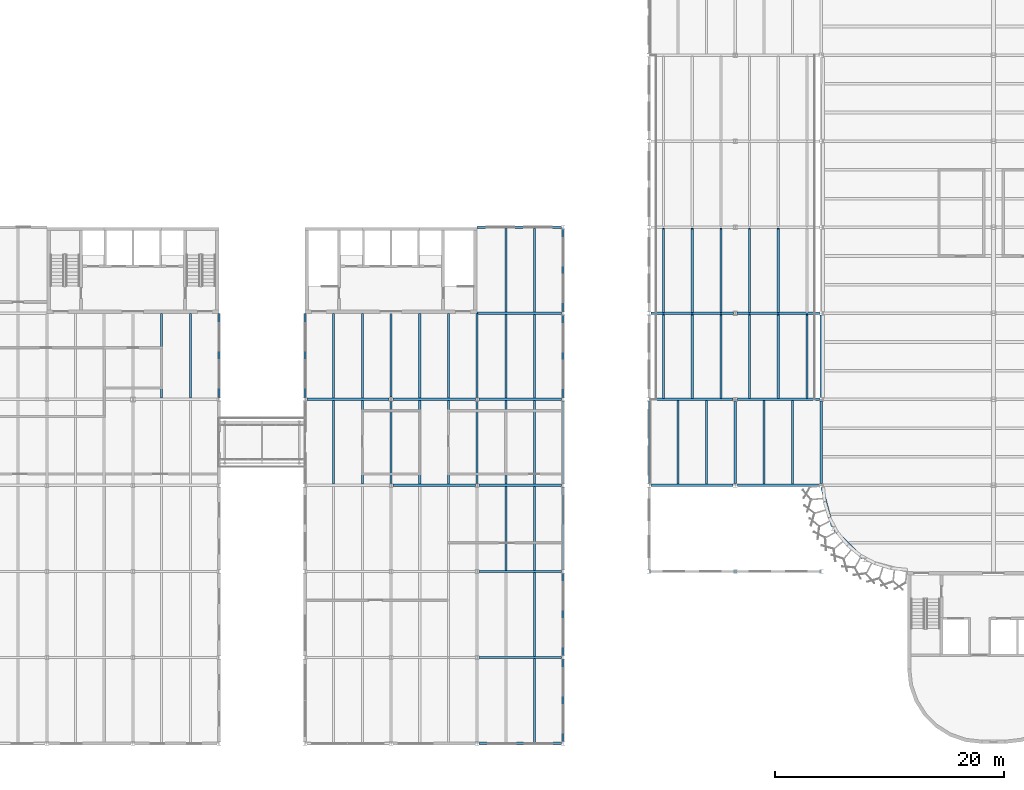
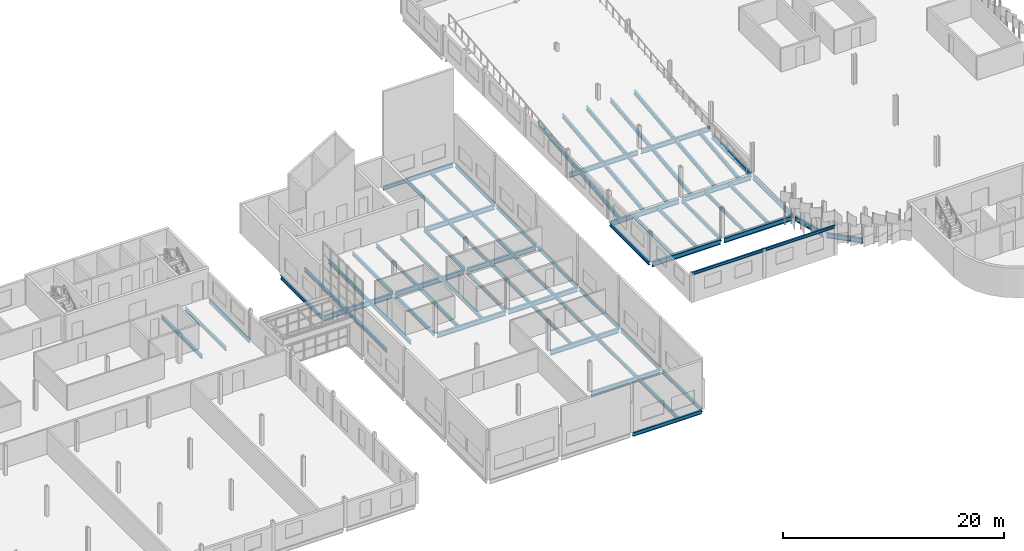
# One storey, part 35 of 198: 70 beams.
"""IFC4 building model written with IfcOpenShell, lengths in metres."""

from ifc_helpers import new_model, si_unit, direction, frame, origin, origin_2d, place, context, subcontext, project, spatial, i_section, extrude, material, material_profile, profile_set, type_object, element, save


model = new_model("IFC4")

# Units and contexts
model_context = context("Model", 3, precision=1e-05, world=origin(), true_north=direction((0.0, 1.0)))
body_context = subcontext(model_context, "Body", "Model", "MODEL_VIEW")
ifc_project = project(units=[si_unit("LENGTHUNIT", "METRE"), si_unit("AREAUNIT", "SQUARE_METRE"), si_unit("VOLUMEUNIT", "CUBIC_METRE"), si_unit("PLANEANGLEUNIT", "RADIAN"), si_unit("MASSUNIT", "GRAM", prefix="KILO")], contexts=[model_context])

# Site, building, storey
site_placement = place(None, origin())
site = spatial("IfcSite", under=ifc_project, at=site_placement, CompositionType="ELEMENT")
building_placement = place(site_placement, origin())
building = spatial("IfcBuilding", under=site, at=building_placement, Name="Parallax Yard Mobility Hub", CompositionType="ELEMENT")
storey_placement = place(building_placement, frame((0.0, 0.0, 6.60009765625)))
storey = spatial("IfcBuildingStorey", under=building, at=storey_placement, Name="L02", CompositionType="ELEMENT", Elevation=6.60009765625)

# Beams
ifc_material = material(Name="Steel ASTM A992", Category="steel")
ifc_material_profile_1 = material_profile(ifc_material, i_section(OverallWidth=0.1650390625, OverallDepth=0.31005859375, WebThickness=0.005859375, FlangeThickness=0.009765625, at=origin_2d()), Name="W310x39")
ifc_profile_set_1 = profile_set([ifc_material_profile_1], Name="Steel ASTM A992")
beam_type_1 = type_object("IfcBeamType", Name="South edge beam W310x39", PredefinedType="BEAM", material=ifc_profile_set_1)
beam_1_placement = place(storey_placement, frame((180.0, 22.5, 3.14501953125), z_axis=(1.0, 0.0, 0.0), x_axis=(0.0, 1.0, 0.0)))
element("IfcBeam", 1, at=beam_1_placement, inside=storey, type_object=beam_type_1, Name="South edge beam level L03 of the ramp house", PredefinedType="BEAM", context=body_context, shape_type="SweptSolid", body=[
    extrude(i_section(OverallWidth=0.1650390625, OverallDepth=0.31005859375, WebThickness=0.005859375, FlangeThickness=0.009765625, at=origin_2d()), origin(), (0.0, 0.0, 1.0), 15.0),
])
ifc_material_profile_2 = material_profile(ifc_material, i_section(OverallWidth=0.177978515625, OverallDepth=0.406005859375, WebThickness=0.0078125, FlangeThickness=0.0126953125, FilletRadius=0.01025390625, at=origin_2d()), Name="W410x60")
ifc_profile_set_2 = profile_set([ifc_material_profile_2], Name="Steel ASTM A992")
beam_type_2 = type_object("IfcBeamType", Name="W410x60 edge beam", PredefinedType="SPANDREL", material=ifc_profile_set_2)
beam_2_placement = place(storey_placement, frame((180.0, 30.153564453125, -0.343017578125), z_axis=(0.0, 1.0, 0.0), x_axis=(-1.0, 0.0, 0.0)))
element("IfcBeam", 2, at=beam_2_placement, inside=storey, type_object=beam_type_2, Name="Edge beam SB1 level L02, line 25 of ramp house, span 1", PredefinedType="SPANDREL", context=body_context, shape_type="SweptSolid", body=[
    extrude(i_section(OverallWidth=0.177978515625, OverallDepth=0.406005859375, WebThickness=0.0078125, FlangeThickness=0.0126953125, FilletRadius=0.01025390625, at=origin_2d()), origin(), (0.0, 0.0, 1.0), 7.19287109375),
])
ifc_material_profile_3 = material_profile(ifc_material, i_section(OverallWidth=0.177978515625, OverallDepth=0.406005859375, WebThickness=0.0078125, FlangeThickness=0.0126953125, FilletRadius=0.01025390625, at=origin_2d()), Name="W410x60")
ifc_profile_set_3 = profile_set([ifc_material_profile_3], Name="Steel ASTM A992")
beam_type_3 = type_object("IfcBeamType", Name="W410x60 longitudinal beam", PredefinedType="BEAM", material=ifc_profile_set_3)
beam_3_placement = place(storey_placement, frame((187.5, 30.18408203125, -0.343017578125), z_axis=(0.0, 1.0, 0.0), x_axis=(-1.0, 0.0, 0.0)))
element("IfcBeam", 3, at=beam_3_placement, inside=storey, type_object=beam_type_3, Name="Longitudinal beam SB2 level L02, line 26 of ramp house, span 1", PredefinedType="BEAM", context=body_context, shape_type="SweptSolid", body=[
    extrude(i_section(OverallWidth=0.177978515625, OverallDepth=0.406005859375, WebThickness=0.0078125, FlangeThickness=0.0126953125, FilletRadius=0.01025390625, at=origin_2d()), origin(), (0.0, 0.0, 1.0), 7.12939453125),
])
ifc_material_profile_4 = material_profile(ifc_material, i_section(OverallWidth=0.177978515625, OverallDepth=0.406005859375, WebThickness=0.0078125, FlangeThickness=0.0126953125, FilletRadius=0.01025390625, at=origin_2d()), Name="W410x60")
ifc_profile_set_4 = profile_set([ifc_material_profile_4], Name="Steel ASTM A992")
beam_type_4 = type_object("IfcBeamType", Name="W410x60 secondary beam", PredefinedType="JOIST", material=ifc_profile_set_4)
for number, where, z_axis, x_axis, name in (
    (4, (182.5, 30.1044921875, -0.343017578125), (0.0, 1.0, 0.0), (-1.0, 0.0, 0.0), "Secondary beam B1 level L02, 2.5 m east of line 25 of ramp house, span 1"),
    (5, (190.0, 30.1044921875, -0.343017578125), (0.0, 1.0, 0.0), (-1.0, 0.0, 0.0), "Secondary beam B1 level L02, 2.5 m east of line 26 of ramp house, span 1"),
    (6, (185.0, 30.1044921875, -0.343017578125), (0.0, 1.0, 0.0), (-1.0, 0.0, 0.0), "Secondary beam B1 level L02, 5 m east of line 25 of ramp house, span 1"),
    (7, (192.5, 30.1044921875, -0.343017578125), (0.0, 1.0, 0.0), (-1.0, 0.0, 0.0), "Secondary beam B1 level L02, 5 m east of line 26 of ramp house, span 1"),
    (8, (152.5, 30.1044921875, -0.343017578125), (0.0, 1.0, 0.0), (-1.0, 0.0, 0.0), "Secondary beam B1 level L02, 2.5 m east of line 21 of bicycle and shared-mobility hall, span 4"),
):
    element("IfcBeam", number, at=place(storey_placement, frame(where, z_axis=z_axis, x_axis=x_axis)), inside=storey, type_object=beam_type_4, Name=name, PredefinedType="JOIST", context=body_context, shape_type="SweptSolid", body=[
        extrude(i_section(OverallWidth=0.177978515625, OverallDepth=0.406005859375, WebThickness=0.0078125, FlangeThickness=0.0126953125, FilletRadius=0.01025390625, at=origin_2d()), origin(), (0.0, 0.0, 1.0), 7.291015625),
    ])
beam_4_placement = place(storey_placement, frame((152.5, 37.6044921875, -0.343017578125), z_axis=(0.0, 1.0, 0.0), x_axis=(-1.0, 0.0, 0.0)))
element("IfcBeam", 9, at=beam_4_placement, inside=storey, type_object=beam_type_4, Name="Secondary beam B1 level L02, 2.5 m east of line 21 of bicycle and shared-mobility hall, span 5", PredefinedType="JOIST", context=body_context, shape_type="SweptSolid", body=[
    extrude(i_section(OverallWidth=0.177978515625, OverallDepth=0.406005859375, WebThickness=0.0078125, FlangeThickness=0.0126953125, FilletRadius=0.01025390625, at=origin_2d()), origin(), (0.0, 0.0, 1.0), 7.3955078125),
])
beam_5_placement = place(storey_placement, frame((160.0, 30.1044921875, -0.343017578125), z_axis=(0.0, 1.0, 0.0), x_axis=(-1.0, 0.0, 0.0)))
element("IfcBeam", 10, at=beam_5_placement, inside=storey, type_object=beam_type_4, Name="Secondary beam B1 level L02, 2.5 m east of line 22 of bicycle and shared-mobility hall, span 4", PredefinedType="JOIST", context=body_context, shape_type="SweptSolid", body=[
    extrude(i_section(OverallWidth=0.177978515625, OverallDepth=0.406005859375, WebThickness=0.0078125, FlangeThickness=0.0126953125, FilletRadius=0.01025390625, at=origin_2d()), origin(), (0.0, 0.0, 1.0), 7.291015625),
])
beam_6_placement = place(storey_placement, frame((160.0, 37.6044921875, -0.343017578125), z_axis=(0.0, 1.0, 0.0), x_axis=(-1.0, 0.0, 0.0)))
element("IfcBeam", 11, at=beam_6_placement, inside=storey, type_object=beam_type_4, Name="Secondary beam B1 level L02, 2.5 m east of line 22 of bicycle and shared-mobility hall, span 5", PredefinedType="JOIST", context=body_context, shape_type="SweptSolid", body=[
    extrude(i_section(OverallWidth=0.177978515625, OverallDepth=0.406005859375, WebThickness=0.0078125, FlangeThickness=0.0126953125, FilletRadius=0.01025390625, at=origin_2d()), origin(), (0.0, 0.0, 1.0), 7.3955078125),
])
for number, where, z_axis, x_axis, name in (
    (12, (167.5, 22.6044921875, -0.343017578125), (0.0, 1.0, 0.0), (-1.0, 0.0, 0.0), "Secondary beam B1 level L02, 2.5 m east of line 23 of bicycle and shared-mobility hall, span 3"),
    (13, (167.5, 30.1044921875, -0.343017578125), (0.0, 1.0, 0.0), (-1.0, 0.0, 0.0), "Secondary beam B1 level L02, 2.5 m east of line 23 of bicycle and shared-mobility hall, span 4"),
    (14, (167.5, 37.6044921875, -0.343017578125), (0.0, 1.0, 0.0), (-1.0, 0.0, 0.0), "Secondary beam B1 level L02, 2.5 m east of line 23 of bicycle and shared-mobility hall, span 5"),
):
    element("IfcBeam", number, at=place(storey_placement, frame(where, z_axis=z_axis, x_axis=x_axis)), inside=storey, type_object=beam_type_4, Name=name, PredefinedType="JOIST", context=body_context, shape_type="SweptSolid", body=[
        extrude(i_section(OverallWidth=0.177978515625, OverallDepth=0.406005859375, WebThickness=0.0078125, FlangeThickness=0.0126953125, FilletRadius=0.01025390625, at=origin_2d()), origin(), (0.0, 0.0, 1.0), 7.291015625),
    ])
beam_7_placement = place(storey_placement, frame((167.5, 45.1044921875, -0.343017578125), z_axis=(0.0, 1.0, 0.0), x_axis=(-1.0, 0.0, 0.0)))
element("IfcBeam", 15, at=beam_7_placement, inside=storey, type_object=beam_type_4, Name="Secondary beam B1 level L02, 2.5 m east of line 23 of bicycle and shared-mobility hall, span 6", PredefinedType="JOIST", context=body_context, shape_type="SweptSolid", body=[
    extrude(i_section(OverallWidth=0.177978515625, OverallDepth=0.406005859375, WebThickness=0.0078125, FlangeThickness=0.0126953125, FilletRadius=0.01025390625, at=origin_2d()), origin(), (0.0, 0.0, 1.0), 7.305908203125),
])
beam_8_placement = place(storey_placement, frame((155.0, 30.1044921875, -0.343017578125), z_axis=(0.0, 1.0, 0.0), x_axis=(-1.0, 0.0, 0.0)))
element("IfcBeam", 16, at=beam_8_placement, inside=storey, type_object=beam_type_4, Name="Secondary beam B1 level L02, 5 m east of line 21 of bicycle and shared-mobility hall, span 4", PredefinedType="JOIST", context=body_context, shape_type="SweptSolid", body=[
    extrude(i_section(OverallWidth=0.177978515625, OverallDepth=0.406005859375, WebThickness=0.0078125, FlangeThickness=0.0126953125, FilletRadius=0.01025390625, at=origin_2d()), origin(), (0.0, 0.0, 1.0), 7.291015625),
])
beam_9_placement = place(storey_placement, frame((155.0, 37.6044921875, -0.343017578125), z_axis=(0.0, 1.0, 0.0), x_axis=(-1.0, 0.0, 0.0)))
element("IfcBeam", 17, at=beam_9_placement, inside=storey, type_object=beam_type_4, Name="Secondary beam B1 level L02, 5 m east of line 21 of bicycle and shared-mobility hall, span 5", PredefinedType="JOIST", context=body_context, shape_type="SweptSolid", body=[
    extrude(i_section(OverallWidth=0.177978515625, OverallDepth=0.406005859375, WebThickness=0.0078125, FlangeThickness=0.0126953125, FilletRadius=0.01025390625, at=origin_2d()), origin(), (0.0, 0.0, 1.0), 7.3955078125),
])
beam_10_placement = place(storey_placement, frame((162.5, 30.1044921875, -0.343017578125), z_axis=(0.0, 1.0, 0.0), x_axis=(-1.0, 0.0, 0.0)))
element("IfcBeam", 18, at=beam_10_placement, inside=storey, type_object=beam_type_4, Name="Secondary beam B1 level L02, 5 m east of line 22 of bicycle and shared-mobility hall, span 4", PredefinedType="JOIST", context=body_context, shape_type="SweptSolid", body=[
    extrude(i_section(OverallWidth=0.177978515625, OverallDepth=0.406005859375, WebThickness=0.0078125, FlangeThickness=0.0126953125, FilletRadius=0.01025390625, at=origin_2d()), origin(), (0.0, 0.0, 1.0), 7.291015625),
])
beam_11_placement = place(storey_placement, frame((162.5, 37.6044921875, -0.343017578125), z_axis=(0.0, 1.0, 0.0), x_axis=(-1.0, 0.0, 0.0)))
element("IfcBeam", 19, at=beam_11_placement, inside=storey, type_object=beam_type_4, Name="Secondary beam B1 level L02, 5 m east of line 22 of bicycle and shared-mobility hall, span 5", PredefinedType="JOIST", context=body_context, shape_type="SweptSolid", body=[
    extrude(i_section(OverallWidth=0.177978515625, OverallDepth=0.406005859375, WebThickness=0.0078125, FlangeThickness=0.0126953125, FilletRadius=0.01025390625, at=origin_2d()), origin(), (0.0, 0.0, 1.0), 7.3955078125),
])
beam_12_placement = place(storey_placement, frame((170.0, 7.589599609375, -0.343017578125), z_axis=(0.0, 1.0, 0.0), x_axis=(-1.0, 0.0, 0.0)))
element("IfcBeam", 20, at=beam_12_placement, inside=storey, type_object=beam_type_4, Name="Secondary beam B1 level L02, 5 m east of line 23 of bicycle and shared-mobility hall, span 1", PredefinedType="JOIST", context=body_context, shape_type="SweptSolid", body=[
    extrude(i_section(OverallWidth=0.177978515625, OverallDepth=0.406005859375, WebThickness=0.0078125, FlangeThickness=0.0126953125, FilletRadius=0.01025390625, at=origin_2d()), origin(), (0.0, 0.0, 1.0), 7.305908203125),
])
for number, where, z_axis, x_axis, name in (
    (21, (170.0, 15.1044921875, -0.343017578125), (0.0, 1.0, 0.0), (-1.0, 0.0, 0.0), "Secondary beam B1 level L02, 5 m east of line 23 of bicycle and shared-mobility hall, span 2"),
    (22, (170.0, 22.6044921875, -0.343017578125), (0.0, 1.0, 0.0), (-1.0, 0.0, 0.0), "Secondary beam B1 level L02, 5 m east of line 23 of bicycle and shared-mobility hall, span 3"),
    (23, (170.0, 30.1044921875, -0.343017578125), (0.0, 1.0, 0.0), (-1.0, 0.0, 0.0), "Secondary beam B1 level L02, 5 m east of line 23 of bicycle and shared-mobility hall, span 4"),
    (24, (170.0, 37.6044921875, -0.343017578125), (0.0, 1.0, 0.0), (-1.0, 0.0, 0.0), "Secondary beam B1 level L02, 5 m east of line 23 of bicycle and shared-mobility hall, span 5"),
):
    element("IfcBeam", number, at=place(storey_placement, frame(where, z_axis=z_axis, x_axis=x_axis)), inside=storey, type_object=beam_type_4, Name=name, PredefinedType="JOIST", context=body_context, shape_type="SweptSolid", body=[
        extrude(i_section(OverallWidth=0.177978515625, OverallDepth=0.406005859375, WebThickness=0.0078125, FlangeThickness=0.0126953125, FilletRadius=0.01025390625, at=origin_2d()), origin(), (0.0, 0.0, 1.0), 7.291015625),
    ])
beam_13_placement = place(storey_placement, frame((170.0, 45.1044921875, -0.343017578125), z_axis=(0.0, 1.0, 0.0), x_axis=(-1.0, 0.0, 0.0)))
element("IfcBeam", 25, at=beam_13_placement, inside=storey, type_object=beam_type_4, Name="Secondary beam B1 level L02, 5 m east of line 23 of bicycle and shared-mobility hall, span 6", PredefinedType="JOIST", context=body_context, shape_type="SweptSolid", body=[
    extrude(i_section(OverallWidth=0.177978515625, OverallDepth=0.406005859375, WebThickness=0.0078125, FlangeThickness=0.0126953125, FilletRadius=0.01025390625, at=origin_2d()), origin(), (0.0, 0.0, 1.0), 7.305908203125),
])
for number, where, z_axis, x_axis, name in (
    (26, (137.5, 37.6044921875, -0.343017578125), (0.0, 1.0, 0.0), (-1.0, 0.0, 0.0), "Secondary beam B1 level L02, 2.5 m east of line 19 of mobility service centre and workshops, span 5"),
    (27, (140.0, 37.6044921875, -0.343017578125), (0.0, 1.0, 0.0), (-1.0, 0.0, 0.0), "Secondary beam B1 level L02, 5 m east of line 19 of mobility service centre and workshops, span 5"),
):
    element("IfcBeam", number, at=place(storey_placement, frame(where, z_axis=z_axis, x_axis=x_axis)), inside=storey, type_object=beam_type_4, Name=name, PredefinedType="JOIST", context=body_context, shape_type="SweptSolid", body=[
        extrude(i_section(OverallWidth=0.177978515625, OverallDepth=0.406005859375, WebThickness=0.0078125, FlangeThickness=0.0126953125, FilletRadius=0.01025390625, at=origin_2d()), origin(), (0.0, 0.0, 1.0), 7.3955078125),
    ])
ifc_material_profile_5 = material_profile(ifc_material, i_section(OverallWidth=0.178955078125, OverallDepth=0.408935546875, WebThickness=0.0087890625, FlangeThickness=0.014404296875, FilletRadius=0.01025390625, at=origin_2d()), Name="W410x67")
ifc_profile_set_5 = profile_set([ifc_material_profile_5], Name="Steel ASTM A992")
beam_type_5 = type_object("IfcBeamType", Name="W410x67 edge beam", PredefinedType="SPANDREL", material=ifc_profile_set_5)
beam_14_placement = place(storey_placement, frame((150.0, 37.653564453125, -0.344482421875), z_axis=(0.0, 1.0, 0.0), x_axis=(-1.0, 0.0, 0.0)))
element("IfcBeam", 28, at=beam_14_placement, inside=storey, type_object=beam_type_5, Name="Edge beam SB3 level L02, line 21 of bicycle and shared-mobility hall, span 5", PredefinedType="SPANDREL", context=body_context, shape_type="SweptSolid", body=[
    extrude(i_section(OverallWidth=0.178955078125, OverallDepth=0.408935546875, WebThickness=0.0087890625, FlangeThickness=0.014404296875, FilletRadius=0.01025390625, at=origin_2d()), origin(), (0.0, 0.0, 1.0), 7.346435546875),
])
for number, where, z_axis, x_axis, name in (
    (29, (172.5, 7.653564453125, -0.344482421875), (0.0, 1.0, 0.0), (-1.0, 0.0, 0.0), "Edge beam SB3 level L02, line 24 of bicycle and shared-mobility hall, span 1"),
    (30, (172.5, 15.153564453125, -0.344482421875), (0.0, 1.0, 0.0), (-1.0, 0.0, 0.0), "Edge beam SB3 level L02, line 24 of bicycle and shared-mobility hall, span 2"),
    (31, (172.5, 22.653564453125, -0.344482421875), (0.0, 1.0, 0.0), (-1.0, 0.0, 0.0), "Edge beam SB3 level L02, line 24 of bicycle and shared-mobility hall, span 3"),
    (32, (172.5, 30.153564453125, -0.344482421875), (0.0, 1.0, 0.0), (-1.0, 0.0, 0.0), "Edge beam SB3 level L02, line 24 of bicycle and shared-mobility hall, span 4"),
    (33, (172.5, 37.653564453125, -0.344482421875), (0.0, 1.0, 0.0), (-1.0, 0.0, 0.0), "Edge beam SB3 level L02, line 24 of bicycle and shared-mobility hall, span 5"),
    (34, (172.5, 45.153564453125, -0.344482421875), (0.0, 1.0, 0.0), (-1.0, 0.0, 0.0), "Edge beam SB3 level L02, line 24 of bicycle and shared-mobility hall, span 6"),
):
    element("IfcBeam", number, at=place(storey_placement, frame(where, z_axis=z_axis, x_axis=x_axis)), inside=storey, type_object=beam_type_5, Name=name, PredefinedType="SPANDREL", context=body_context, shape_type="SweptSolid", body=[
        extrude(i_section(OverallWidth=0.178955078125, OverallDepth=0.408935546875, WebThickness=0.0087890625, FlangeThickness=0.014404296875, FilletRadius=0.01025390625, at=origin_2d()), origin(), (0.0, 0.0, 1.0), 7.19287109375),
    ])
beam_15_placement = place(storey_placement, frame((165.152587890625, 7.5, -0.344482421875), z_axis=(1.0, 0.0, 0.0), x_axis=(0.0, 1.0, 0.0)))
element("IfcBeam", 35, at=beam_15_placement, inside=storey, type_object=beam_type_5, Name="Edge beam SB3 level L02, line B of bicycle and shared-mobility hall, span 3", PredefinedType="SPANDREL", context=body_context, shape_type="SweptSolid", body=[
    extrude(i_section(OverallWidth=0.178955078125, OverallDepth=0.408935546875, WebThickness=0.0087890625, FlangeThickness=0.014404296875, FilletRadius=0.01025390625, at=origin_2d()), origin(), (0.0, 0.0, 1.0), 7.19482421875),
])
beam_16_placement = place(storey_placement, frame((165.0, 52.5, -0.344482421875), z_axis=(1.0, 0.0, 0.0), x_axis=(0.0, 1.0, 0.0)))
element("IfcBeam", 36, at=beam_16_placement, inside=storey, type_object=beam_type_5, Name="Edge beam SB3 level L02, line H of bicycle and shared-mobility hall, span 1", PredefinedType="SPANDREL", context=body_context, shape_type="SweptSolid", body=[
    extrude(i_section(OverallWidth=0.178955078125, OverallDepth=0.408935546875, WebThickness=0.0087890625, FlangeThickness=0.014404296875, FilletRadius=0.01025390625, at=origin_2d()), origin(), (0.0, 0.0, 1.0), 7.347412109375),
])
beam_17_placement = place(storey_placement, frame((142.5, 37.658935546875, -0.344482421875), z_axis=(0.0, 1.0, 0.0), x_axis=(-1.0, 0.0, 0.0)))
element("IfcBeam", 37, at=beam_17_placement, inside=storey, type_object=beam_type_5, Name="Edge beam SB3 level L02, line 20 of mobility service centre and workshops, span 5", PredefinedType="SPANDREL", context=body_context, shape_type="SweptSolid", body=[
    extrude(i_section(OverallWidth=0.178955078125, OverallDepth=0.408935546875, WebThickness=0.0087890625, FlangeThickness=0.014404296875, FilletRadius=0.01025390625, at=origin_2d()), origin(), (0.0, 0.0, 1.0), 7.341064453125),
])
ifc_material_profile_6 = material_profile(ifc_material, i_section(OverallWidth=0.178955078125, OverallDepth=0.408935546875, WebThickness=0.0087890625, FlangeThickness=0.014404296875, FilletRadius=0.01025390625, at=origin_2d()), Name="W410x67")
ifc_profile_set_6 = profile_set([ifc_material_profile_6], Name="Steel ASTM A992")
beam_type_6 = type_object("IfcBeamType", Name="W410x67 girder", PredefinedType="BEAM", material=ifc_profile_set_6)
beam_18_placement = place(storey_placement, frame((157.5, 30.153564453125, -0.344482421875), z_axis=(0.0, 1.0, 0.0), x_axis=(-1.0, 0.0, 0.0)))
element("IfcBeam", 38, at=beam_18_placement, inside=storey, type_object=beam_type_6, Name="Girder G1 level L02, line 22 of bicycle and shared-mobility hall, span 4", PredefinedType="BEAM", context=body_context, shape_type="SweptSolid", body=[
    extrude(i_section(OverallWidth=0.178955078125, OverallDepth=0.408935546875, WebThickness=0.0087890625, FlangeThickness=0.014404296875, FilletRadius=0.01025390625, at=origin_2d()), origin(), (0.0, 0.0, 1.0), 7.159912109375),
])
beam_19_placement = place(storey_placement, frame((157.5, 37.6865234375, -0.344482421875), z_axis=(0.0, 1.0, 0.0), x_axis=(-1.0, 0.0, 0.0)))
element("IfcBeam", 39, at=beam_19_placement, inside=storey, type_object=beam_type_6, Name="Girder G1 level L02, line 22 of bicycle and shared-mobility hall, span 5", PredefinedType="BEAM", context=body_context, shape_type="SweptSolid", body=[
    extrude(i_section(OverallWidth=0.178955078125, OverallDepth=0.408935546875, WebThickness=0.0087890625, FlangeThickness=0.014404296875, FilletRadius=0.01025390625, at=origin_2d()), origin(), (0.0, 0.0, 1.0), 7.3134765625),
])
beam_20_placement = place(storey_placement, frame((165.0, 30.153564453125, -0.344482421875), z_axis=(0.0, 1.0, 0.0), x_axis=(-1.0, 0.0, 0.0)))
element("IfcBeam", 40, at=beam_20_placement, inside=storey, type_object=beam_type_6, Name="Girder G1 level L02, line 23 of bicycle and shared-mobility hall, span 4", PredefinedType="BEAM", context=body_context, shape_type="SweptSolid", body=[
    extrude(i_section(OverallWidth=0.178955078125, OverallDepth=0.408935546875, WebThickness=0.0087890625, FlangeThickness=0.014404296875, FilletRadius=0.01025390625, at=origin_2d()), origin(), (0.0, 0.0, 1.0), 7.1875),
])
beam_21_placement = place(storey_placement, frame((165.0, 37.658935546875, -0.344482421875), z_axis=(0.0, 1.0, 0.0), x_axis=(-1.0, 0.0, 0.0)))
element("IfcBeam", 41, at=beam_21_placement, inside=storey, type_object=beam_type_6, Name="Girder G1 level L02, line 23 of bicycle and shared-mobility hall, span 5", PredefinedType="BEAM", context=body_context, shape_type="SweptSolid", body=[
    extrude(i_section(OverallWidth=0.178955078125, OverallDepth=0.408935546875, WebThickness=0.0087890625, FlangeThickness=0.014404296875, FilletRadius=0.01025390625, at=origin_2d()), origin(), (0.0, 0.0, 1.0), 7.341064453125),
])
ifc_material_profile_7 = material_profile(ifc_material, i_section(OverallWidth=0.19091796875, OverallDepth=0.45703125, WebThickness=0.009033203125, FlangeThickness=0.014404296875, FilletRadius=0.01025390625, at=origin_2d()), Name="W460x74")
ifc_profile_set_7 = profile_set([ifc_material_profile_7], Name="Steel ASTM A992")
beam_type_7 = type_object("IfcBeamType", Name="W460x74 ramp beam", PredefinedType="JOIST", material=ifc_profile_set_7)
for number, where, z_axis, x_axis, name in (
    (42, (181.25, 37.6044921875, -0.41845703125), (0.0, 0.994004500635, 0.109339163695), (-1.0, 0.0, 0.0), "Ramp beam RJ1 level L02, ramp RP3 of ramp house, span 1"),
    (43, (181.25, 45.1044921875, 0.406494140625), (0.0, 0.994004500635, 0.109339163695), (-1.0, 0.0, 0.0), "Ramp beam RJ1 level L02, ramp RP3 of ramp house, span 2"),
    (44, (183.75, 37.6044921875, -0.41845703125), (0.0, 0.994004500635, 0.109339163695), (-1.0, 0.0, 0.0), "Ramp beam RJ1 level L02, ramp RP3 of ramp house, span 5"),
    (45, (183.75, 45.1044921875, 0.406494140625), (0.0, 0.994004500635, 0.109339163695), (-1.0, 0.0, 0.0), "Ramp beam RJ1 level L02, ramp RP3 of ramp house, span 6"),
    (46, (186.25, 37.6044921875, -0.41845703125), (0.0, 0.994004500635, 0.109339163695), (-1.0, 0.0, 0.0), "Ramp beam RJ1 level L02, ramp RP3 of ramp house, span 9"),
    (47, (186.25, 45.1044921875, 0.406494140625), (0.0, 0.994004500635, 0.109339163695), (-1.0, 0.0, 0.0), "Ramp beam RJ1 level L02, ramp RP3 of ramp house, span 10"),
    (48, (188.75, 37.6044921875, -0.41845703125), (0.0, 0.994004500635, 0.109339163695), (-1.0, 0.0, 0.0), "Ramp beam RJ1 level L02, ramp RP3 of ramp house, span 13"),
    (49, (188.75, 45.1044921875, 0.406494140625), (0.0, 0.994004500635, 0.109339163695), (-1.0, 0.0, 0.0), "Ramp beam RJ1 level L02, ramp RP3 of ramp house, span 14"),
    (50, (191.25, 37.6044921875, -0.41845703125), (0.0, 0.994004500635, 0.109339163695), (-1.0, 0.0, 0.0), "Ramp beam RJ1 level L02, ramp RP3 of ramp house, span 17"),
    (51, (191.25, 45.1044921875, 0.406494140625), (0.0, 0.994004500635, 0.109339163695), (-1.0, 0.0, 0.0), "Ramp beam RJ1 level L02, ramp RP3 of ramp house, span 18"),
    (52, (193.75, 37.6044921875, -0.41845703125), (0.0, 0.994004500635, 0.109339163695), (-1.0, 0.0, 0.0), "Ramp beam RJ1 level L02, ramp RP3 of ramp house, span 21"),
):
    element("IfcBeam", number, at=place(storey_placement, frame(where, z_axis=z_axis, x_axis=x_axis)), inside=storey, type_object=beam_type_7, Name=name, PredefinedType="JOIST", context=body_context, shape_type="SweptSolid", body=[
        extrude(i_section(OverallWidth=0.19091796875, OverallDepth=0.45703125, WebThickness=0.009033203125, FlangeThickness=0.014404296875, FilletRadius=0.01025390625, at=origin_2d()), origin(), (0.0, 0.0, 1.0), 7.3349609375),
    ])
ifc_material_profile_8 = material_profile(ifc_material, i_section(OverallWidth=0.208984375, OverallDepth=0.532958984375, WebThickness=0.01025390625, FlangeThickness=0.015625, FilletRadius=0.0126953125, at=origin_2d()), Name="W530x92")
ifc_profile_set_8 = profile_set([ifc_material_profile_8], Name="Steel ASTM A992")
beam_type_8 = type_object("IfcBeamType", Name="W530x92 edge beam", PredefinedType="SPANDREL", material=ifc_profile_set_8)
beam_22_placement = place(storey_placement, frame((195.0, 30.18408203125, -0.406494140625), z_axis=(0.0, 1.0, 0.0), x_axis=(-1.0, 0.0, 0.0)))
element("IfcBeam", 53, at=beam_22_placement, inside=storey, type_object=beam_type_8, Name="Edge beam SB5 level L02, line 27 of ramped parking decks, span 1", PredefinedType="SPANDREL", context=body_context, shape_type="SweptSolid", body=[
    extrude(i_section(OverallWidth=0.208984375, OverallDepth=0.532958984375, WebThickness=0.01025390625, FlangeThickness=0.015625, FilletRadius=0.0126953125, at=origin_2d()), origin(), (0.0, 0.0, 1.0), 7.163330078125),
])
beam_23_placement = place(storey_placement, frame((195.0, 37.652587890625, -0.406494140625), z_axis=(0.0, 1.0, 0.0), x_axis=(-1.0, 0.0, 0.0)))
element("IfcBeam", 54, at=beam_23_placement, inside=storey, type_object=beam_type_8, Name="Edge beam SB5 level L02, line 27 of ramped parking decks, span 2", PredefinedType="SPANDREL", context=body_context, shape_type="SweptSolid", body=[
    extrude(i_section(OverallWidth=0.208984375, OverallDepth=0.532958984375, WebThickness=0.01025390625, FlangeThickness=0.015625, FilletRadius=0.0126953125, at=origin_2d()), origin(), (0.0, 0.0, 1.0), 7.19482421875),
])
beam_24_placement = place(storey_placement, frame((195.04931640625, 29.81591796875, -0.406494140625), z_axis=(0.258810929597, -0.965928000796, 0.0), x_axis=(0.965928000796, 0.258810929597, 0.0)))
element("IfcBeam", 55, at=beam_24_placement, inside=storey, type_object=beam_type_8, Name="Edge beam SB5 level L02, the south end of ramped parking decks, span 1", PredefinedType="SPANDREL", context=body_context, shape_type="SweptSolid", body=[
    extrude(i_section(OverallWidth=0.208984375, OverallDepth=0.532958984375, WebThickness=0.01025390625, FlangeThickness=0.015625, FilletRadius=0.0126953125, at=origin_2d()), origin(), (0.0, 0.0, 1.0), 3.53271484375),
])
beam_25_placement = place(storey_placement, frame((196.1572265625, 26.097412109375, -0.406494140625), z_axis=(0.707106781187, -0.707106781187, 0.0), x_axis=(0.707106781187, 0.707106781187, 0.0)))
element("IfcBeam", 56, at=beam_25_placement, inside=storey, type_object=beam_type_8, Name="Edge beam SB5 level L02, the south end of ramped parking decks, span 2", PredefinedType="SPANDREL", context=body_context, shape_type="SweptSolid", body=[
    extrude(i_section(OverallWidth=0.208984375, OverallDepth=0.532958984375, WebThickness=0.01025390625, FlangeThickness=0.015625, FilletRadius=0.0126953125, at=origin_2d()), origin(), (0.0, 0.0, 1.0), 3.450927734375),
])
ifc_material_profile_9 = material_profile(ifc_material, i_section(OverallWidth=0.208984375, OverallDepth=0.532958984375, WebThickness=0.01025390625, FlangeThickness=0.015625, FilletRadius=0.0126953125, at=origin_2d()), Name="W530x92")
ifc_profile_set_9 = profile_set([ifc_material_profile_9], Name="Steel ASTM A992")
beam_type_9 = type_object("IfcBeamType", Name="W530x92 girder", PredefinedType="BEAM", material=ifc_profile_set_9)
beam_26_placement = place(storey_placement, frame((180.152587890625, 30.0, -0.406494140625), z_axis=(1.0, 0.0, 0.0), x_axis=(0.0, 1.0, 0.0)))
element("IfcBeam", 57, at=beam_26_placement, inside=storey, type_object=beam_type_9, Name="Girder G2 level L02, line E of ramp house, span 1", PredefinedType="BEAM", context=body_context, shape_type="SweptSolid", body=[
    extrude(i_section(OverallWidth=0.208984375, OverallDepth=0.532958984375, WebThickness=0.01025390625, FlangeThickness=0.015625, FilletRadius=0.0126953125, at=origin_2d()), origin(), (0.0, 0.0, 1.0), 7.160888671875),
])
beam_27_placement = place(storey_placement, frame((187.6865234375, 30.0, -0.406494140625), z_axis=(1.0, 0.0, 0.0), x_axis=(0.0, 1.0, 0.0)))
element("IfcBeam", 58, at=beam_27_placement, inside=storey, type_object=beam_type_9, Name="Girder G2 level L02, line E of ramp house, span 2", PredefinedType="BEAM", context=body_context, shape_type="SweptSolid", body=[
    extrude(i_section(OverallWidth=0.208984375, OverallDepth=0.532958984375, WebThickness=0.01025390625, FlangeThickness=0.015625, FilletRadius=0.0126953125, at=origin_2d()), origin(), (0.0, 0.0, 1.0), 7.135498046875),
])
beam_28_placement = place(storey_placement, frame((180.152587890625, 37.5, -0.466552734375), z_axis=(1.0, 0.0, 0.0), x_axis=(0.0, 1.0, 0.0)))
element("IfcBeam", 59, at=beam_28_placement, inside=storey, type_object=beam_type_9, Name="Girder G2 level L02, line F of ramp house, span 1", PredefinedType="BEAM", context=body_context, shape_type="SweptSolid", body=[
    extrude(i_section(OverallWidth=0.208984375, OverallDepth=0.532958984375, WebThickness=0.01025390625, FlangeThickness=0.015625, FilletRadius=0.0126953125, at=origin_2d()), origin(), (0.0, 0.0, 1.0), 7.160888671875),
])
beam_29_placement = place(storey_placement, frame((187.6865234375, 37.5, -0.466552734375), z_axis=(1.0, 0.0, 0.0), x_axis=(0.0, 1.0, 0.0)))
element("IfcBeam", 60, at=beam_29_placement, inside=storey, type_object=beam_type_9, Name="Girder G2 level L02, line F of ramp house, span 2", PredefinedType="BEAM", context=body_context, shape_type="SweptSolid", body=[
    extrude(i_section(OverallWidth=0.208984375, OverallDepth=0.532958984375, WebThickness=0.01025390625, FlangeThickness=0.015625, FilletRadius=0.0126953125, at=origin_2d()), origin(), (0.0, 0.0, 1.0), 7.157470703125),
])
beam_30_placement = place(storey_placement, frame((180.152587890625, 45.0, 0.346923828125), z_axis=(1.0, 0.0, 0.0), x_axis=(0.0, 1.0, 0.0)))
element("IfcBeam", 61, at=beam_30_placement, inside=storey, type_object=beam_type_9, Name="Girder G2 level L02, line G of ramp house, span 1", PredefinedType="BEAM", context=body_context, shape_type="SweptSolid", body=[
    extrude(i_section(OverallWidth=0.208984375, OverallDepth=0.532958984375, WebThickness=0.01025390625, FlangeThickness=0.015625, FilletRadius=0.0126953125, at=origin_2d()), origin(), (0.0, 0.0, 1.0), 7.1923828125),
])
beam_31_placement = place(storey_placement, frame((187.655029296875, 45.0, 0.346923828125), z_axis=(1.0, 0.0, 0.0), x_axis=(0.0, 1.0, 0.0)))
element("IfcBeam", 62, at=beam_31_placement, inside=storey, type_object=beam_type_9, Name="Girder G2 level L02, line G of ramp house, span 2", PredefinedType="BEAM", context=body_context, shape_type="SweptSolid", body=[
    extrude(i_section(OverallWidth=0.208984375, OverallDepth=0.532958984375, WebThickness=0.01025390625, FlangeThickness=0.015625, FilletRadius=0.0126953125, at=origin_2d()), origin(), (0.0, 0.0, 1.0), 7.19140625),
])
ifc_material_profile_10 = material_profile(ifc_material, i_section(OverallWidth=0.208984375, OverallDepth=0.532958984375, WebThickness=0.01025390625, FlangeThickness=0.015625, FilletRadius=0.0126953125, at=origin_2d()), Name="W530x92")
ifc_profile_set_10 = profile_set([ifc_material_profile_10], Name="Steel ASTM A992")
beam_type_10 = type_object("IfcBeamType", Name="W530x92 longitudinal beam", PredefinedType="BEAM", material=ifc_profile_set_10)
for number, where, z_axis, x_axis, name in (
    (63, (165.152587890625, 15.0, -0.406494140625), (1.0, 0.0, 0.0), (0.0, 1.0, 0.0), "Longitudinal beam SB6 level L02, line C of bicycle and shared-mobility hall, span 3"),
    (64, (165.152587890625, 22.5, -0.406494140625), (1.0, 0.0, 0.0), (0.0, 1.0, 0.0), "Longitudinal beam SB6 level L02, line D of bicycle and shared-mobility hall, span 3"),
    (65, (157.652587890625, 30.0, -0.406494140625), (1.0, 0.0, 0.0), (0.0, 1.0, 0.0), "Longitudinal beam SB6 level L02, line E of bicycle and shared-mobility hall, span 2"),
    (66, (165.152587890625, 30.0, -0.406494140625), (1.0, 0.0, 0.0), (0.0, 1.0, 0.0), "Longitudinal beam SB6 level L02, line E of bicycle and shared-mobility hall, span 3"),
):
    element("IfcBeam", number, at=place(storey_placement, frame(where, z_axis=z_axis, x_axis=x_axis)), inside=storey, type_object=beam_type_10, Name=name, PredefinedType="BEAM", context=body_context, shape_type="SweptSolid", body=[
        extrude(i_section(OverallWidth=0.208984375, OverallDepth=0.532958984375, WebThickness=0.01025390625, FlangeThickness=0.015625, FilletRadius=0.0126953125, at=origin_2d()), origin(), (0.0, 0.0, 1.0), 7.19482421875),
    ])
beam_32_placement = place(storey_placement, frame((150.152587890625, 37.5, -0.406494140625), z_axis=(1.0, 0.0, 0.0), x_axis=(0.0, 1.0, 0.0)))
element("IfcBeam", 67, at=beam_32_placement, inside=storey, type_object=beam_type_10, Name="Longitudinal beam SB6 level L02, line F of bicycle and shared-mobility hall, span 1", PredefinedType="BEAM", context=body_context, shape_type="SweptSolid", body=[
    extrude(i_section(OverallWidth=0.208984375, OverallDepth=0.532958984375, WebThickness=0.01025390625, FlangeThickness=0.015625, FilletRadius=0.0126953125, at=origin_2d()), origin(), (0.0, 0.0, 1.0), 7.160888671875),
])
beam_33_placement = place(storey_placement, frame((157.6865234375, 37.5, -0.406494140625), z_axis=(1.0, 0.0, 0.0), x_axis=(0.0, 1.0, 0.0)))
element("IfcBeam", 68, at=beam_33_placement, inside=storey, type_object=beam_type_10, Name="Longitudinal beam SB6 level L02, line F of bicycle and shared-mobility hall, span 2", PredefinedType="BEAM", context=body_context, shape_type="SweptSolid", body=[
    extrude(i_section(OverallWidth=0.208984375, OverallDepth=0.532958984375, WebThickness=0.01025390625, FlangeThickness=0.015625, FilletRadius=0.0126953125, at=origin_2d()), origin(), (0.0, 0.0, 1.0), 7.159912109375),
])
beam_34_placement = place(storey_placement, frame((165.153564453125, 37.5, -0.406494140625), z_axis=(1.0, 0.0, 0.0), x_axis=(0.0, 1.0, 0.0)))
element("IfcBeam", 69, at=beam_34_placement, inside=storey, type_object=beam_type_10, Name="Longitudinal beam SB6 level L02, line F of bicycle and shared-mobility hall, span 3", PredefinedType="BEAM", context=body_context, shape_type="SweptSolid", body=[
    extrude(i_section(OverallWidth=0.208984375, OverallDepth=0.532958984375, WebThickness=0.01025390625, FlangeThickness=0.015625, FilletRadius=0.0126953125, at=origin_2d()), origin(), (0.0, 0.0, 1.0), 7.19384765625),
])
beam_35_placement = place(storey_placement, frame((165.0, 45.0, -0.406494140625), z_axis=(1.0, 0.0, 0.0), x_axis=(0.0, 1.0, 0.0)))
element("IfcBeam", 70, at=beam_35_placement, inside=storey, type_object=beam_type_10, Name="Longitudinal beam SB6 level L02, line G of bicycle and shared-mobility hall, span 1", PredefinedType="BEAM", context=body_context, shape_type="SweptSolid", body=[
    extrude(i_section(OverallWidth=0.208984375, OverallDepth=0.532958984375, WebThickness=0.01025390625, FlangeThickness=0.015625, FilletRadius=0.0126953125, at=origin_2d()), origin(), (0.0, 0.0, 1.0), 7.347412109375),
])

save(model, "model.ifc")
